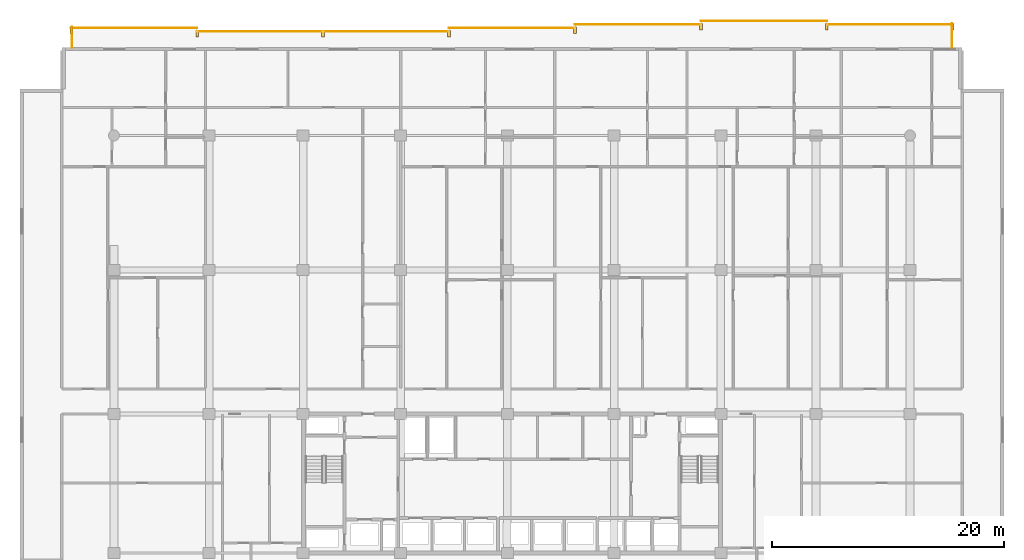
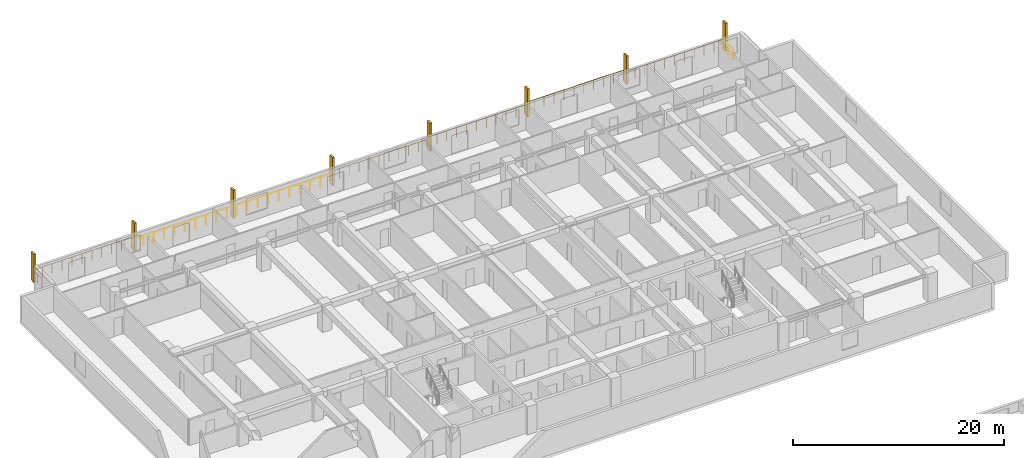
# One storey, part 23 of 23: 8 railings, 8 shading devices.
"""IFC4 building model written with IfcOpenShell, lengths in metres."""

from ifc_helpers import new_model, si_unit, direction, frame, origin, origin_2d, place, context, subcontext, project, spatial, rectangle, circle, extrude, material, type_object, element, save


model = new_model("IFC4")

# Units and contexts
model_context = context("Model", 3, precision=1e-05, world=origin(), true_north=direction((0.0, 1.0)))
body_context = subcontext(model_context, "Body", "Model", "MODEL_VIEW")
ifc_project = project(units=[si_unit("LENGTHUNIT", "METRE"), si_unit("AREAUNIT", "SQUARE_METRE"), si_unit("VOLUMEUNIT", "CUBIC_METRE"), si_unit("PLANEANGLEUNIT", "RADIAN"), si_unit("MASSUNIT", "GRAM", prefix="KILO")], contexts=[model_context])

# Site, building, storey
site_placement = place(None, origin())
site = spatial("IfcSite", under=ifc_project, at=site_placement, CompositionType="ELEMENT")
building_placement = place(site_placement, origin())
building = spatial("IfcBuilding", under=site, at=building_placement, Name="Korimba Cascade Residences", CompositionType="ELEMENT")
storey_placement = place(building_placement, frame((0.0, 0.0, 37.0)))
storey = spatial("IfcBuildingStorey", under=building, at=storey_placement, Name="L09", CompositionType="ELEMENT", Elevation=37.0)

# Railings
ifc_material_1 = material(Name="Laminated Glass and Bronze Balustrade", Category="glass")
railing_type = type_object("IfcRailingType", Name="RLG-LOG-1150", PredefinedType="BALUSTRADE", material=ifc_material_1)
railing_1_placement = place(storey_placement, frame((132.02001953125, 98.800048828125, 0.0)))
element("IfcRailing", 1, at=railing_1_placement, inside=storey, type_object=railing_type, Name="L09 Perimeter Guardrail RLG-L09-T1-LOG-01", PredefinedType="BALUSTRADE", context=body_context, shape_type="SweptSolid", body=[
    extrude(circle(Radius=0.02392578125, at=origin_2d()), frame((0.0, 0.0, 1.1259765625), z_axis=(0.0, 1.0, 0.0), x_axis=(-1.0, 0.0, 0.0)), (0.0, 0.0, 1.0), 2.050048828125),
    extrude(circle(Radius=0.02099609375, at=origin_2d()), origin(), (0.0, 0.0, 1.0), 1.101806640625),
    extrude(circle(Radius=0.02099609375, at=origin_2d()), frame((0.0, 1.02490234375, 0.0)), (0.0, 0.0, 1.0), 1.101806640625),
    extrude(circle(Radius=0.02099609375, at=origin_2d()), frame((0.0, 2.050048828125, 0.0)), (0.0, 0.0, 1.0), 1.101806640625),
])
for number, where, name in (
    (2, (132.10009765625, 100.77001953125, 0.0), "L09 Perimeter Guardrail RLG-L09-T1-LOG-02"),
    (3, (121.242919921875, 101.070068359375, 0.0), "L09 Perimeter Guardrail RLG-L09-T1-LOG-03"),
    (4, (110.3857421875, 100.77001953125, 0.0), "L09 Perimeter Guardrail RLG-L09-T1-LOG-04"),
    (5, (99.528564453125, 100.469970703125, 0.0), "L09 Perimeter Guardrail RLG-L09-T1-LOG-05"),
):
    element("IfcRailing", number, at=place(storey_placement, frame(where)), inside=storey, type_object=railing_type, Name=name, PredefinedType="BALUSTRADE", context=body_context, shape_type="SweptSolid", body=[
        extrude(circle(Radius=0.02392578125, at=origin_2d()), frame((0.0, 0.0, 1.1259765625), z_axis=(-1.0, 0.0, 0.0), x_axis=(0.0, -1.0, 0.0)), (0.0, 0.0, 1.0), 10.857177734375),
        extrude(circle(Radius=0.02099609375, at=origin_2d()), origin(), (0.0, 0.0, 1.0), 1.101806640625),
        extrude(circle(Radius=0.02099609375, at=origin_2d()), frame((-1.085693359375, 0.0, 0.0)), (0.0, 0.0, 1.0), 1.101806640625),
        extrude(circle(Radius=0.02099609375, at=origin_2d()), frame((-2.17138671875, 0.0, 0.0)), (0.0, 0.0, 1.0), 1.101806640625),
        extrude(circle(Radius=0.02099609375, at=origin_2d()), frame((-3.257080078125, 0.0, 0.0)), (0.0, 0.0, 1.0), 1.101806640625),
        extrude(circle(Radius=0.02099609375, at=origin_2d()), frame((-4.3427734375, 0.0, 0.0)), (0.0, 0.0, 1.0), 1.101806640625),
        extrude(circle(Radius=0.02099609375, at=origin_2d()), frame((-5.4287109375, 0.0, 0.0)), (0.0, 0.0, 1.0), 1.101806640625),
        extrude(circle(Radius=0.02099609375, at=origin_2d()), frame((-6.514404296875, 0.0, 0.0)), (0.0, 0.0, 1.0), 1.101806640625),
        extrude(circle(Radius=0.02099609375, at=origin_2d()), frame((-7.60009765625, 0.0, 0.0)), (0.0, 0.0, 1.0), 1.101806640625),
        extrude(circle(Radius=0.02099609375, at=origin_2d()), frame((-8.685791015625, 0.0, 0.0)), (0.0, 0.0, 1.0), 1.101806640625),
        extrude(circle(Radius=0.02099609375, at=origin_2d()), frame((-9.771484375, 0.0, 0.0)), (0.0, 0.0, 1.0), 1.101806640625),
        extrude(circle(Radius=0.02099609375, at=origin_2d()), frame((-10.857177734375, 0.0, 0.0)), (0.0, 0.0, 1.0), 1.101806640625),
    ])
railing_2_placement = place(storey_placement, frame((88.67138671875, 100.169921875, 0.0)))
element("IfcRailing", 6, at=railing_2_placement, inside=storey, type_object=railing_type, Name="L09 Perimeter Guardrail RLG-L09-T1-LOG-06", PredefinedType="BALUSTRADE", context=body_context, shape_type="SweptSolid", body=[
    extrude(circle(Radius=0.02392578125, at=origin_2d()), frame((0.0, 0.0, 1.1259765625), z_axis=(-1.0, 0.0, 0.0), x_axis=(0.0, -1.0, 0.0)), (0.0, 0.0, 1.0), 21.71435546875),
    extrude(circle(Radius=0.02099609375, at=origin_2d()), origin(), (0.0, 0.0, 1.0), 1.101806640625),
    extrude(circle(Radius=0.02099609375, at=origin_2d()), frame((-1.142822265625, 0.0, 0.0)), (0.0, 0.0, 1.0), 1.101806640625),
    extrude(circle(Radius=0.02099609375, at=origin_2d()), frame((-2.28564453125, 0.0, 0.0)), (0.0, 0.0, 1.0), 1.101806640625),
    extrude(circle(Radius=0.02099609375, at=origin_2d()), frame((-3.428466796875, 0.0, 0.0)), (0.0, 0.0, 1.0), 1.101806640625),
    extrude(circle(Radius=0.02099609375, at=origin_2d()), frame((-4.571533203125, 0.0, 0.0)), (0.0, 0.0, 1.0), 1.101806640625),
    extrude(circle(Radius=0.02099609375, at=origin_2d()), frame((-5.71435546875, 0.0, 0.0)), (0.0, 0.0, 1.0), 1.101806640625),
    extrude(circle(Radius=0.02099609375, at=origin_2d()), frame((-6.857177734375, 0.0, 0.0)), (0.0, 0.0, 1.0), 1.101806640625),
    extrude(circle(Radius=0.02099609375, at=origin_2d()), frame((-8.0, 0.0, 0.0)), (0.0, 0.0, 1.0), 1.101806640625),
    extrude(circle(Radius=0.02099609375, at=origin_2d()), frame((-9.142822265625, 0.0, 0.0)), (0.0, 0.0, 1.0), 1.101806640625),
    extrude(circle(Radius=0.02099609375, at=origin_2d()), frame((-10.28564453125, 0.0, 0.0)), (0.0, 0.0, 1.0), 1.101806640625),
    extrude(circle(Radius=0.02099609375, at=origin_2d()), frame((-11.4287109375, 0.0, 0.0)), (0.0, 0.0, 1.0), 1.101806640625),
    extrude(circle(Radius=0.02099609375, at=origin_2d()), frame((-12.571533203125, 0.0, 0.0)), (0.0, 0.0, 1.0), 1.101806640625),
    extrude(circle(Radius=0.02099609375, at=origin_2d()), frame((-13.71435546875, 0.0, 0.0)), (0.0, 0.0, 1.0), 1.101806640625),
    extrude(circle(Radius=0.02099609375, at=origin_2d()), frame((-14.857177734375, 0.0, 0.0)), (0.0, 0.0, 1.0), 1.101806640625),
    extrude(circle(Radius=0.02099609375, at=origin_2d()), frame((-16.0, 0.0, 0.0)), (0.0, 0.0, 1.0), 1.101806640625),
    extrude(circle(Radius=0.02099609375, at=origin_2d()), frame((-17.142822265625, 0.0, 0.0)), (0.0, 0.0, 1.0), 1.101806640625),
    extrude(circle(Radius=0.02099609375, at=origin_2d()), frame((-18.285888671875, 0.0, 0.0)), (0.0, 0.0, 1.0), 1.101806640625),
    extrude(circle(Radius=0.02099609375, at=origin_2d()), frame((-19.4287109375, 0.0, 0.0)), (0.0, 0.0, 1.0), 1.101806640625),
    extrude(circle(Radius=0.02099609375, at=origin_2d()), frame((-20.571533203125, 0.0, 0.0)), (0.0, 0.0, 1.0), 1.101806640625),
    extrude(circle(Radius=0.02099609375, at=origin_2d()), frame((-21.71435546875, 0.0, 0.0)), (0.0, 0.0, 1.0), 1.101806640625),
])
railing_3_placement = place(storey_placement, frame((66.95703125, 100.469970703125, 0.0)))
element("IfcRailing", 7, at=railing_3_placement, inside=storey, type_object=railing_type, Name="L09 Perimeter Guardrail RLG-L09-T1-LOG-07", PredefinedType="BALUSTRADE", context=body_context, shape_type="SweptSolid", body=[
    extrude(circle(Radius=0.02392578125, at=origin_2d()), frame((0.0, 0.0, 1.1259765625), z_axis=(-1.0, 0.0, 0.0), x_axis=(0.0, -1.0, 0.0)), (0.0, 0.0, 1.0), 10.85693359375),
    extrude(circle(Radius=0.02099609375, at=origin_2d()), origin(), (0.0, 0.0, 1.0), 1.101806640625),
    extrude(circle(Radius=0.02099609375, at=origin_2d()), frame((-1.085693359375, 0.0, 0.0)), (0.0, 0.0, 1.0), 1.101806640625),
    extrude(circle(Radius=0.02099609375, at=origin_2d()), frame((-2.17138671875, 0.0, 0.0)), (0.0, 0.0, 1.0), 1.101806640625),
    extrude(circle(Radius=0.02099609375, at=origin_2d()), frame((-3.257080078125, 0.0, 0.0)), (0.0, 0.0, 1.0), 1.101806640625),
    extrude(circle(Radius=0.02099609375, at=origin_2d()), frame((-4.3427734375, 0.0, 0.0)), (0.0, 0.0, 1.0), 1.101806640625),
    extrude(circle(Radius=0.02099609375, at=origin_2d()), frame((-5.428466796875, 0.0, 0.0)), (0.0, 0.0, 1.0), 1.101806640625),
    extrude(circle(Radius=0.02099609375, at=origin_2d()), frame((-6.51416015625, 0.0, 0.0)), (0.0, 0.0, 1.0), 1.101806640625),
    extrude(circle(Radius=0.02099609375, at=origin_2d()), frame((-7.599853515625, 0.0, 0.0)), (0.0, 0.0, 1.0), 1.101806640625),
    extrude(circle(Radius=0.02099609375, at=origin_2d()), frame((-8.685546875, 0.0, 0.0)), (0.0, 0.0, 1.0), 1.101806640625),
    extrude(circle(Radius=0.02099609375, at=origin_2d()), frame((-9.771240234375, 0.0, 0.0)), (0.0, 0.0, 1.0), 1.101806640625),
    extrude(circle(Radius=0.02099609375, at=origin_2d()), frame((-10.85693359375, 0.0, 0.0)), (0.0, 0.0, 1.0), 1.101806640625),
])
railing_4_placement = place(storey_placement, frame((56.179931640625, 100.550048828125, 0.0)))
element("IfcRailing", 8, at=railing_4_placement, inside=storey, type_object=railing_type, Name="L09 Perimeter Guardrail RLG-L09-T1-LOG-08", PredefinedType="BALUSTRADE", context=body_context, shape_type="SweptSolid", body=[
    extrude(circle(Radius=0.02392578125, at=origin_2d()), frame((0.0, 0.0, 1.1259765625), z_axis=(0.0, -1.0, 0.0), x_axis=(1.0, 0.0, 0.0)), (0.0, 0.0, 1.0), 1.75),
    extrude(circle(Radius=0.02099609375, at=origin_2d()), origin(), (0.0, 0.0, 1.0), 1.101806640625),
    extrude(circle(Radius=0.02099609375, at=origin_2d()), frame((0.0, -0.875, 0.0)), (0.0, 0.0, 1.0), 1.101806640625),
    extrude(circle(Radius=0.02099609375, at=origin_2d()), frame((0.0, -1.75, 0.0)), (0.0, 0.0, 1.0), 1.101806640625),
])

# Shading devices
ifc_material_2 = material(Name="Honed Sandstone Precast Fin", Category="masonry")
shading_device_type = type_object("IfcShadingDeviceType", Name="SHD-FIN-550", PredefinedType="USERDEFINED", material=ifc_material_2)
for number, where, z_axis, x_axis, name in (
    (9, (56.10009765625, 100.27490234375, 0.0), (0.0, 0.0, 1.0), (1.0, 0.0, 0.0), "L09 T1 Warm-Stone Loggia Fin 1"),
    (10, (66.95703125, 99.97509765625, 0.0), (0.0, 0.0, 1.0), (1.0, 0.0, 0.0), "L09 T1 Warm-Stone Loggia Fin 2"),
    (11, (77.814208984375, 99.97509765625, 0.0), (0.0, 0.0, 1.0), (1.0, 0.0, 0.0), "L09 T1 Warm-Stone Loggia Fin 3"),
    (12, (88.67138671875, 99.97509765625, 0.0), (0.0, 0.0, 1.0), (1.0, 0.0, 0.0), "L09 T1 Warm-Stone Loggia Fin 4"),
    (13, (99.528564453125, 100.27490234375, 0.0), (0.0, 0.0, 1.0), (1.0, 0.0, 0.0), "L09 T1 Warm-Stone Loggia Fin 5"),
    (14, (110.3857421875, 100.574951171875, 0.0), (0.0, 0.0, 1.0), (1.0, 0.0, 0.0), "L09 T1 Warm-Stone Loggia Fin 6"),
    (15, (121.242919921875, 100.574951171875, 0.0), (0.0, 0.0, 1.0), (1.0, 0.0, 0.0), "L09 T1 Warm-Stone Loggia Fin 7"),
    (16, (132.10009765625, 100.574951171875, 0.0), (0.0, 0.0, 1.0), (1.0, 0.0, 0.0), "L09 T1 Warm-Stone Loggia Fin 8"),
):
    element("IfcShadingDevice", number, at=place(storey_placement, frame(where, z_axis=z_axis, x_axis=x_axis)), inside=storey, type_object=shading_device_type, Name=name, ObjectType="FIN", PredefinedType="USERDEFINED", context=body_context, shape_type="SweptSolid", body=[
        extrude(rectangle(XDim=0.219970703125, YDim=0.550048828125, at=origin_2d()), origin(), (0.0, 0.0, 1.0), 3.25),
    ])

save(model, "model.ifc")
